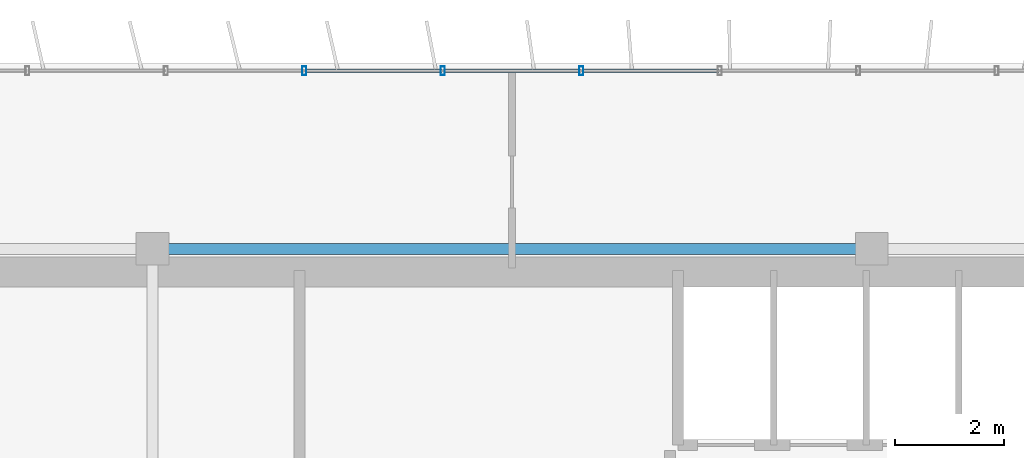
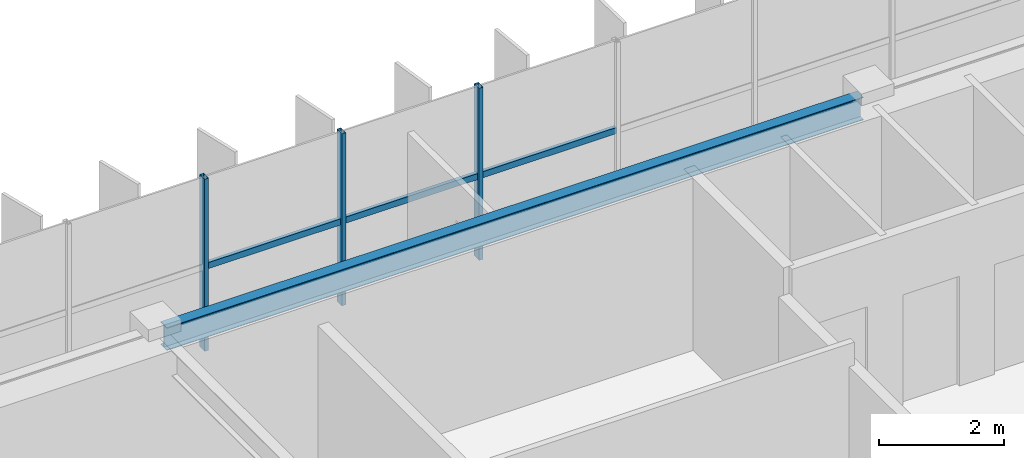
# One storey, part 9 of 22: 6 members, 1 beam, 1 element without a shape of its own.
"""IFC4 building model written with IfcOpenShell, lengths in metres."""

from ifc_helpers import new_model, si_unit, direction, frame, origin, origin_2d, place, context, subcontext, project, spatial, hollow_rectangle, i_section, extrude, source, transform, mapped, material, material_profile, profile_set, type_object, element, aggregate, save


model = new_model("IFC4")

# Units and contexts
model_context = context("Model", 3, precision=1e-05, world=origin(), true_north=direction((0.0, 1.0)))
body_context = subcontext(model_context, "Body", "Model", "MODEL_VIEW")
ifc_project = project(units=[si_unit("LENGTHUNIT", "METRE"), si_unit("AREAUNIT", "SQUARE_METRE"), si_unit("VOLUMEUNIT", "CUBIC_METRE"), si_unit("PLANEANGLEUNIT", "RADIAN"), si_unit("MASSUNIT", "GRAM", prefix="KILO")], contexts=[model_context])

# Site, building, storey
site_placement = place(None, origin())
site = spatial("IfcSite", under=ifc_project, at=site_placement, CompositionType="ELEMENT")
building_placement = place(site_placement, origin())
building = spatial("IfcBuilding", under=site, at=building_placement, Name="Trelvane Seafront Commons", CompositionType="ELEMENT")
storey_placement = place(building_placement, frame((0.0, 0.0, 281.10009765625)))
storey = spatial("IfcBuildingStorey", under=building, at=storey_placement, Name="L73", CompositionType="ELEMENT", Elevation=281.10009765625)

# Beam
ifc_material_1 = material(Name="Steel SM355 (S355)", Category="steel")
ifc_material_profile_1 = material_profile(ifc_material_1, i_section(OverallWidth=0.199951171875, OverallDepth=0.449951171875, WebThickness=0.009033203125, FlangeThickness=0.013916015625, at=origin_2d()), Name="H-450x200x9x14")
ifc_profile_set_1 = profile_set([ifc_material_profile_1], Name="Steel SM355 (S355)")
beam_type = type_object("IfcBeamType", Name="STR-SPD-H450", PredefinedType="SPANDREL", material=ifc_profile_set_1)
shared_shape_1 = source(origin(), body_context, "Body", "SweptSolid", [
    extrude(i_section(OverallWidth=0.199951171875, OverallDepth=0.449951171875, WebThickness=0.009033203125, FlangeThickness=0.013916015625, at=origin_2d()), origin(), (0.0, 0.0, 1.0), 12.89990234375),
])
beam_placement = place(storey_placement, frame((30.75, 45.10009765625, 3.14501953125), z_axis=(1.0, 0.0, 0.0), x_axis=(0.0, 1.0, 0.0)))
element("IfcBeam", 1, at=beam_placement, inside=storey, type_object=beam_type, Name="L73 Primary Girder G-25", PredefinedType="SPANDREL", context=body_context, shape_type="MappedRepresentation", body=[
    mapped(shared_shape_1, transform((0.0, 0.0, 0.0), x_axis=(1.0, 0.0, 0.0), y_axis=(0.0, 1.0, 0.0), z_axis=(0.0, 0.0, 1.0), scale=1.0)),
])

# Curtain wall, members
ifc_material_2 = material(Name="Anodised pale-silver aluminium", Category="aluminium")
curtain_wall_type = type_object("IfcCurtainWallType", Name="ARCH-CW5-UPTOWER", PredefinedType="NOTDEFINED", material=ifc_material_2)
curtain_wall_placement = place(storey_placement, origin())
curtain_wall = element("IfcCurtainWall", 2, at=curtain_wall_placement, inside=storey, type_object=curtain_wall_type, Name="CW-L73-0117", PredefinedType="NOTDEFINED")
ifc_material_profile_2 = material_profile(ifc_material_2, hollow_rectangle(XDim=0.070068359375, YDim=0.1201171875, WallThickness=0.00390625, at=origin_2d()), Name="TRAN-70x120x4")
ifc_profile_set_2 = profile_set([ifc_material_profile_2], Name="Anodised pale-silver aluminium")
member_type_1 = type_object("IfcMemberType", Name="ARCH-CW-TRAN-120", PredefinedType="USERDEFINED", material=ifc_profile_set_2)
shared_shape_2 = source(origin(), body_context, "Body", "SweptSolid", [
    extrude(hollow_rectangle(XDim=0.070068359375, YDim=0.1201171875, WallThickness=0.00390625, at=origin_2d()), origin(), (0.0, 0.0, 1.0), 2.51708984375),
])
member_1_placement = place(storey_placement, frame((35.94140625, 48.3701171875, 1.617919921875), z_axis=(1.0, 0.0, 0.0), x_axis=(0.0, 1.0, 0.0)))
member_1 = element("IfcMember", 3, at=member_1_placement, type_object=member_type_1, Name="CW-L73-0117-T08", ObjectType="TRANSOM", PredefinedType="USERDEFINED", context=body_context, shape_type="MappedRepresentation", body=[
    mapped(shared_shape_2, transform((0.0, 0.0, 0.0), x_axis=(1.0, 0.0, 0.0), y_axis=(0.0, 1.0, 0.0), z_axis=(0.0, 0.0, 1.0), scale=1.0)),
])
member_2_placement = place(storey_placement, frame((38.482666015625, 48.3701171875, 1.617919921875), z_axis=(1.0, 0.0, 0.0), x_axis=(0.0, 1.0, 0.0)))
member_2 = element("IfcMember", 4, at=member_2_placement, type_object=member_type_1, Name="CW-L73-0117-T09", ObjectType="TRANSOM", PredefinedType="USERDEFINED", context=body_context, shape_type="MappedRepresentation", body=[
    mapped(shared_shape_2, transform((0.0, 0.0, 0.0), x_axis=(1.0, 0.0, 0.0), y_axis=(0.0, 1.0, 0.0), z_axis=(0.0, 0.0, 1.0), scale=1.0)),
])
shared_shape_3 = source(origin(), body_context, "Body", "SweptSolid", [
    extrude(hollow_rectangle(XDim=0.070068359375, YDim=0.1201171875, WallThickness=0.00390625, at=origin_2d()), origin(), (0.0, 0.0, 1.0), 2.517333984375),
])
member_3_placement = place(storey_placement, frame((33.400146484375, 48.3701171875, 1.617919921875), z_axis=(1.0, 0.0, 0.0), x_axis=(0.0, 1.0, 0.0)))
member_3 = element("IfcMember", 5, at=member_3_placement, type_object=member_type_1, Name="CW-L73-0117-T07", ObjectType="TRANSOM", PredefinedType="USERDEFINED", context=body_context, shape_type="MappedRepresentation", body=[
    mapped(shared_shape_3, transform((0.0, 0.0, 0.0), x_axis=(1.0, 0.0, 0.0), y_axis=(0.0, 1.0, 0.0), z_axis=(0.0, 0.0, 1.0), scale=1.0)),
])
ifc_material_profile_3 = material_profile(ifc_material_2, hollow_rectangle(XDim=0.074951171875, YDim=0.159912109375, WallThickness=0.00390625, at=origin_2d()), Name="MULL-75x160x4")
ifc_profile_set_3 = profile_set([ifc_material_profile_3], Name="Anodised pale-silver aluminium")
member_type_2 = type_object("IfcMemberType", Name="ARCH-CW-MULL-160", PredefinedType="MULLION", material=ifc_profile_set_3)
shared_shape_4 = source(origin(), body_context, "Body", "SweptSolid", [
    extrude(hollow_rectangle(XDim=0.074951171875, YDim=0.159912109375, WallThickness=0.00390625, at=origin_2d()), origin(), (0.0, 0.0, 1.0), 3.369873046875),
])
member_4_placement = place(storey_placement, frame((33.38818359375, 48.3701171875, 0.0), z_axis=(0.0, 0.0, 1.0), x_axis=(1.0, 0.0, 0.0)))
member_4 = element("IfcMember", 6, at=member_4_placement, type_object=member_type_2, Name="CW-L73-0117-M07", PredefinedType="MULLION", context=body_context, shape_type="MappedRepresentation", body=[
    mapped(shared_shape_4, transform((0.0, 0.0, 0.0), x_axis=(1.0, 0.0, 0.0), y_axis=(0.0, 1.0, 0.0), z_axis=(0.0, 0.0, 1.0), scale=1.0)),
])
member_5_placement = place(storey_placement, frame((35.929443359375, 48.3701171875, 0.0), z_axis=(0.0, 0.0, 1.0), x_axis=(1.0, 0.0, 0.0)))
member_5 = element("IfcMember", 7, at=member_5_placement, type_object=member_type_2, Name="CW-L73-0117-M08", PredefinedType="MULLION", context=body_context, shape_type="MappedRepresentation", body=[
    mapped(shared_shape_4, transform((0.0, 0.0, 0.0), x_axis=(1.0, 0.0, 0.0), y_axis=(0.0, 1.0, 0.0), z_axis=(0.0, 0.0, 1.0), scale=1.0)),
])
member_6_placement = place(storey_placement, frame((38.470703125, 48.3701171875, 0.0), z_axis=(0.0, 0.0, 1.0), x_axis=(1.0, 0.0, 0.0)))
member_6 = element("IfcMember", 8, at=member_6_placement, type_object=member_type_2, Name="CW-L73-0117-M09", PredefinedType="MULLION", context=body_context, shape_type="MappedRepresentation", body=[
    mapped(shared_shape_4, transform((0.0, 0.0, 0.0), x_axis=(1.0, 0.0, 0.0), y_axis=(0.0, 1.0, 0.0), z_axis=(0.0, 0.0, 1.0), scale=1.0)),
])
aggregate(curtain_wall, [member_4, member_5, member_6, member_3, member_1, member_2])

save(model, "model.ifc")
